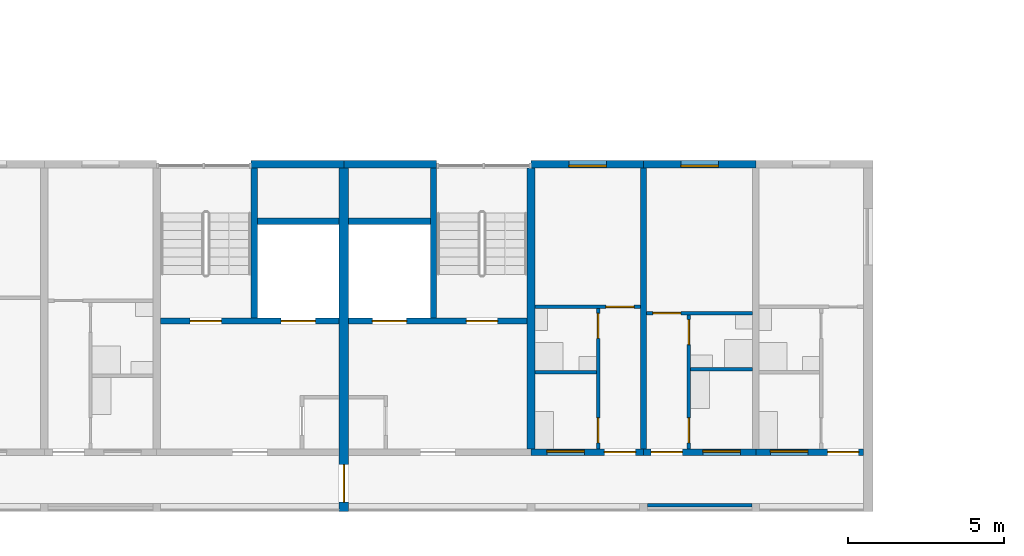
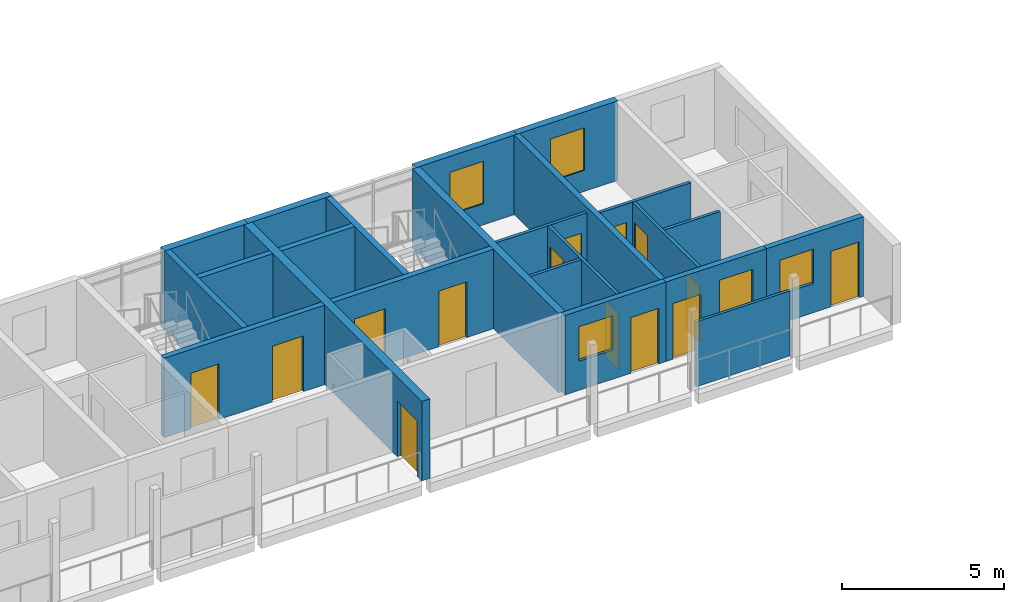
# One storey, part 39 of 93: 23 walls, 14 doors, 5 windows, 19 openings.
"""IFC4 building model written with IfcOpenShell, lengths in metres."""

from ifc_helpers import new_model, si_unit, direction, frame, frame_2d, origin, place, context, subcontext, project, spatial, rectangle, extrude, material, layer, layer_set, type_object, element, fill, save


model = new_model("IFC4")

# Units and contexts
model_context = context("Model", 3, precision=1e-05, world=origin(), true_north=direction((0.0, 1.0)))
body_context = subcontext(model_context, "Body", "Model", "MODEL_VIEW")
ifc_project = project(units=[si_unit("LENGTHUNIT", "METRE"), si_unit("AREAUNIT", "SQUARE_METRE"), si_unit("VOLUMEUNIT", "CUBIC_METRE"), si_unit("PLANEANGLEUNIT", "RADIAN"), si_unit("MASSUNIT", "GRAM", prefix="KILO")], contexts=[model_context])

# Site, building, storey
site_placement = place(None, origin())
site = spatial("IfcSite", under=ifc_project, at=site_placement, CompositionType="ELEMENT")
building_placement = place(site_placement, origin())
building = spatial("IfcBuilding", under=site, at=building_placement, Name="Ridgestep Commons", CompositionType="ELEMENT")
storey_placement = place(building_placement, frame((0.0, 0.0, 18.0)))
storey = spatial("IfcBuildingStorey", under=building, at=storey_placement, Name="L06", CompositionType="ELEMENT", Elevation=18.0)

# Wall
ifc_material_1 = material(Name="Concrete C30/37", Category="concrete")
ifc_layer_1 = layer(ifc_material_1, 0.25)
ifc_layer_set_1 = layer_set([ifc_layer_1], Name="Core cross wall 250")
wall_type_1 = type_object("IfcWallType", Name="Core cross wall 250", PredefinedType="SHEAR", material=ifc_layer_set_1)
wall_1_placement = place(storey_placement, frame((102.0, 13.75, 0.0), z_axis=(0.0, 0.0, 1.0), x_axis=(0.0, 1.0, 0.0)))
element("IfcWall", 1, at=wall_1_placement, inside=storey, type_object=wall_type_1, Name="Cross wall A-06-1020", PredefinedType="SHEAR", context=body_context, shape_type="SweptSolid", body=[
    extrude(rectangle(XDim=9.0, YDim=0.25, at=frame_2d((4.5, 0.0))), origin(), (0.0, 0.0, 1.0), 3.0),
])

# Wall, openings, doors
ifc_material_2 = material(Name="Concrete C30/37", Category="concrete")
ifc_layer_2 = layer(ifc_material_2, 0.199951171875)
ifc_layer_set_2 = layer_set([ifc_layer_2], Name="Core wall 200")
wall_type_2 = type_object("IfcWallType", Name="Core wall 200", PredefinedType="SHEAR", material=ifc_layer_set_2)
wall_2_placement = place(storey_placement, frame((90.125, 17.85009765625, 0.0), z_axis=(0.0, 0.0, 1.0), x_axis=(1.0, 0.0, 0.0)))
wall_2 = element("IfcWall", 2, at=wall_2_placement, inside=storey, type_object=wall_type_2, Name="Core lobby wall A5C L06", PredefinedType="SHEAR", context=body_context, shape_type="SweptSolid", body=[
    extrude(rectangle(XDim=5.72509765625, YDim=0.199951171875, at=frame_2d((2.862548828125, 0.0))), origin(), (0.0, 0.0, 1.0), 3.0),
])
opening_1_placement = place(wall_2_placement, frame((0.949951171875, 0.0, 0.0)))
opening_1 = element("IfcOpeningElement", 3, at=opening_1_placement, cuts=wall_2, Name="Opening A5C/06/2", PredefinedType="OPENING", context=body_context, shape_type="SweptSolid", body=[
    extrude(rectangle(XDim=1.0, YDim=2.10009765625, at=frame_2d((0.5, 1.050048828125))), frame((0.0, 0.10986328125, 0.0), z_axis=(0.0, -1.0, 0.0), x_axis=(1.0, 0.0, 0.0)), (0.0, 0.0, 1.0), 0.219970703125),
])
opening_2_placement = place(wall_2_placement, frame((3.862548828125, 0.0, 0.0)))
opening_2 = element("IfcOpeningElement", 4, at=opening_2_placement, cuts=wall_2, Name="Opening A5C/06/3", PredefinedType="OPENING", context=body_context, shape_type="SweptSolid", body=[
    extrude(rectangle(XDim=1.10009765625, YDim=2.10009765625, at=frame_2d((0.550048828125, 1.050048828125))), frame((0.0, 0.10986328125, 0.0), z_axis=(0.0, -1.0, 0.0), x_axis=(1.0, 0.0, 0.0)), (0.0, 0.0, 1.0), 0.219970703125),
])
ifc_material_3 = material(Name="Stainless steel", Category="steel")
door_type_1 = type_object("IfcDoorType", Name="Lift landing door 1100 x 2100 FD60", OperationType="DOUBLE_DOOR_SLIDING", PredefinedType="DOOR", material=ifc_material_3)
door_1_placement = place(opening_2_placement, origin())
door_1 = element("IfcDoor", 5, at=door_1_placement, inside=storey, type_object=door_type_1, Name="Landing door LD A5C L06", OperationType="DOUBLE_DOOR_SLIDING", OverallHeight=2.10009765625, OverallWidth=1.10009765625, PredefinedType="DOOR", context=body_context, shape_type="SweptSolid", body=[
    extrude(rectangle(XDim=1.10009765625, YDim=2.10009765625, at=frame_2d((0.550048828125, 1.050048828125))), frame((0.0, 0.02490234375, 0.0), z_axis=(0.0, -1.0, 0.0), x_axis=(1.0, 0.0, 0.0)), (0.0, 0.0, 1.0), 0.050048828125),
])
fill(opening_2, door_1)
ifc_material_4 = material(Name="Steel fire door", Category="steel")
door_type_2 = type_object("IfcDoorType", Name="Stair door 1000 x 2100 FD60", OperationType="NOTDEFINED", PredefinedType="DOOR", material=ifc_material_4)
door_2_placement = place(opening_1_placement, origin())
door_2 = element("IfcDoor", 6, at=door_2_placement, inside=storey, type_object=door_type_2, Name="Stair door A5C/06/2", OperationType="SINGLE_SWING_RIGHT", OverallHeight=2.10009765625, OverallWidth=1.0, PredefinedType="DOOR", context=body_context, shape_type="SweptSolid", body=[
    extrude(rectangle(XDim=1.0, YDim=2.10009765625, at=frame_2d((0.5, 1.050048828125))), frame((0.0, 0.02490234375, 0.0), z_axis=(0.0, -1.0, 0.0), x_axis=(1.0, 0.0, 0.0)), (0.0, 0.0, 1.0), 0.050048828125),
])
fill(opening_1, door_2)

# Walls
wall_3_placement = place(storey_placement, frame((93.125, 17.949951171875, 0.0), z_axis=(0.0, 0.0, 1.0), x_axis=(0.0, 1.0, 0.0)))
element("IfcWall", 7, at=wall_3_placement, inside=storey, type_object=wall_type_2, Name="Core stair wall A5C L06", PredefinedType="SHEAR", context=body_context, shape_type="SweptSolid", body=[
    extrude(rectangle(XDim=4.800048828125, YDim=0.199951171875, at=frame_2d((2.39990234375, 0.0))), origin(), (0.0, 0.0, 1.0), 3.0),
])
wall_4_placement = place(storey_placement, frame((93.22509765625, 21.050048828125, 0.0), z_axis=(0.0, 0.0, 1.0), x_axis=(1.0, 0.0, 0.0)))
element("IfcWall", 8, at=wall_4_placement, inside=storey, type_object=wall_type_2, Name="Core duct wall A5C L06", PredefinedType="SHEAR", context=body_context, shape_type="SweptSolid", body=[
    extrude(rectangle(XDim=2.625, YDim=0.199951171875, at=frame_2d((1.3125, 0.0))), origin(), (0.0, 0.0, 1.0), 3.0),
])

# Wall, openings, doors
wall_5_placement = place(storey_placement, frame((96.14990234375, 17.85009765625, 0.0), z_axis=(0.0, 0.0, 1.0), x_axis=(1.0, 0.0, 0.0)))
wall_5 = element("IfcWall", 9, at=wall_5_placement, inside=storey, type_object=wall_type_2, Name="Core lobby wall A6C L06", PredefinedType="SHEAR", context=body_context, shape_type="SweptSolid", body=[
    extrude(rectangle(XDim=5.72509765625, YDim=0.199951171875, at=frame_2d((2.862548828125, 0.0))), origin(), (0.0, 0.0, 1.0), 3.0),
])
opening_3_placement = place(wall_5_placement, frame((3.77490234375, 0.0, 0.0)))
opening_3 = element("IfcOpeningElement", 10, at=opening_3_placement, cuts=wall_5, Name="Opening A6C/06/2", PredefinedType="OPENING", context=body_context, shape_type="SweptSolid", body=[
    extrude(rectangle(XDim=1.0, YDim=2.10009765625, at=frame_2d((0.5, 1.050048828125))), frame((0.0, 0.10986328125, 0.0), z_axis=(0.0, -1.0, 0.0), x_axis=(1.0, 0.0, 0.0)), (0.0, 0.0, 1.0), 0.219970703125),
])
opening_4_placement = place(wall_5_placement, frame((0.762451171875, 0.0, 0.0)))
opening_4 = element("IfcOpeningElement", 11, at=opening_4_placement, cuts=wall_5, Name="Opening A6C/06/3", PredefinedType="OPENING", context=body_context, shape_type="SweptSolid", body=[
    extrude(rectangle(XDim=1.10009765625, YDim=2.10009765625, at=frame_2d((0.550048828125, 1.050048828125))), frame((0.0, 0.10986328125, 0.0), z_axis=(0.0, -1.0, 0.0), x_axis=(1.0, 0.0, 0.0)), (0.0, 0.0, 1.0), 0.219970703125),
])
door_3_placement = place(opening_4_placement, origin())
door_3 = element("IfcDoor", 12, at=door_3_placement, inside=storey, type_object=door_type_1, Name="Landing door LD A6C L06", OperationType="DOUBLE_DOOR_SLIDING", OverallHeight=2.10009765625, OverallWidth=1.10009765625, PredefinedType="DOOR", context=body_context, shape_type="SweptSolid", body=[
    extrude(rectangle(XDim=1.10009765625, YDim=2.10009765625, at=frame_2d((0.550048828125, 1.050048828125))), frame((0.0, 0.02490234375, 0.0), z_axis=(0.0, -1.0, 0.0), x_axis=(1.0, 0.0, 0.0)), (0.0, 0.0, 1.0), 0.050048828125),
])
fill(opening_4, door_3)
door_4_placement = place(opening_3_placement, origin())
door_4 = element("IfcDoor", 13, at=door_4_placement, inside=storey, type_object=door_type_2, Name="Stair door A6C/06/2", OperationType="SINGLE_SWING_RIGHT", OverallHeight=2.10009765625, OverallWidth=1.0, PredefinedType="DOOR", context=body_context, shape_type="SweptSolid", body=[
    extrude(rectangle(XDim=1.0, YDim=2.10009765625, at=frame_2d((0.5, 1.050048828125))), frame((0.0, 0.02490234375, 0.0), z_axis=(0.0, -1.0, 0.0), x_axis=(1.0, 0.0, 0.0)), (0.0, 0.0, 1.0), 0.050048828125),
])
fill(opening_3, door_4)

# Walls
wall_6_placement = place(storey_placement, frame((98.875, 17.949951171875, 0.0), z_axis=(0.0, 0.0, 1.0), x_axis=(0.0, 1.0, 0.0)))
element("IfcWall", 14, at=wall_6_placement, inside=storey, type_object=wall_type_2, Name="Core stair wall A6C L06", PredefinedType="SHEAR", context=body_context, shape_type="SweptSolid", body=[
    extrude(rectangle(XDim=4.800048828125, YDim=0.199951171875, at=frame_2d((2.39990234375, 0.0))), origin(), (0.0, 0.0, 1.0), 3.0),
])
wall_7_placement = place(storey_placement, frame((96.14990234375, 21.050048828125, 0.0), z_axis=(0.0, 0.0, 1.0), x_axis=(1.0, 0.0, 0.0)))
element("IfcWall", 15, at=wall_7_placement, inside=storey, type_object=wall_type_2, Name="Core duct wall A6C L06", PredefinedType="SHEAR", context=body_context, shape_type="SweptSolid", body=[
    extrude(rectangle(XDim=2.625, YDim=0.199951171875, at=frame_2d((1.3125, 0.0))), origin(), (0.0, 0.0, 1.0), 3.0),
])
ifc_material_5 = material(Name="Precast concrete C40/50", Category="concrete")
ifc_layer_3 = layer(ifc_material_5, 0.199951171875)
ifc_layer_set_3 = layer_set([ifc_layer_3], Name="Cross wall 200")
wall_type_3 = type_object("IfcWallType", Name="Cross wall 200", PredefinedType="SHEAR", material=ifc_layer_set_3)
wall_8_placement = place(storey_placement, frame((105.60009765625, 13.75, 0.0), z_axis=(0.0, 0.0, 1.0), x_axis=(0.0, 1.0, 0.0)))
element("IfcWall", 16, at=wall_8_placement, inside=storey, type_object=wall_type_3, Name="Cross wall A-06-1056", PredefinedType="SHEAR", context=body_context, shape_type="SweptSolid", body=[
    extrude(rectangle(XDim=9.0, YDim=0.199951171875, at=frame_2d((4.5, 0.0))), origin(), (0.0, 0.0, 1.0), 3.0),
])

# Wall, opening, door
ifc_material_6 = material(Name="Precast concrete C40/50", Category="concrete")
ifc_layer_4 = layer(ifc_material_6, 0.300048828125)
ifc_layer_set_4 = layer_set([ifc_layer_4], Name="Division wall 300")
wall_type_4 = type_object("IfcWallType", Name="Division wall 300", PredefinedType="SHEAR", material=ifc_layer_set_4)
wall_9_placement = place(storey_placement, frame((96.0, 11.75, 0.0), z_axis=(0.0, 0.0, 1.0), x_axis=(0.0, 1.0, 0.0)))
wall_9 = element("IfcWall", 17, at=wall_9_placement, inside=storey, type_object=wall_type_4, Name="Cross wall A-06-0960", PredefinedType="SHEAR", context=body_context, shape_type="SweptSolid", body=[
    extrude(rectangle(XDim=11.0, YDim=0.300048828125, at=frame_2d((5.5, 0.0))), origin(), (0.0, 0.0, 1.0), 3.0),
])
opening_5_placement = place(wall_9_placement, frame((0.300048828125, 0.0, 0.0)))
opening_5 = element("IfcOpeningElement", 18, at=opening_5_placement, cuts=wall_9, Name="Opening A/06/G0960", PredefinedType="OPENING", context=body_context, shape_type="SweptSolid", body=[
    extrude(rectangle(XDim=1.199951171875, YDim=2.10009765625, at=frame_2d((0.60009765625, 1.050048828125))), frame((0.0, 0.159912109375, 0.0), z_axis=(0.0, -1.0, 0.0), x_axis=(1.0, 0.0, 0.0)), (0.0, 0.0, 1.0), 0.320068359375),
])
ifc_material_7 = material(Name="Steel fire door", Category="steel")
door_type_3 = type_object("IfcDoorType", Name="Division fire door 1200 x 2100 EI 240", OperationType="DOUBLE_DOOR_SINGLE_SWING", PredefinedType="DOOR", material=ifc_material_7)
door_5_placement = place(opening_5_placement, origin())
door_5 = element("IfcDoor", 19, at=door_5_placement, inside=storey, type_object=door_type_3, Name="Division fire door A/06/G0960", OperationType="DOUBLE_DOOR_SINGLE_SWING", OverallHeight=2.10009765625, OverallWidth=1.199951171875, PredefinedType="DOOR", context=body_context, shape_type="SweptSolid", body=[
    extrude(rectangle(XDim=1.199951171875, YDim=2.10009765625, at=frame_2d((0.60009765625, 1.050048828125))), frame((0.0, 0.02490234375, 0.0), z_axis=(0.0, -1.0, 0.0), x_axis=(1.0, 0.0, 0.0)), (0.0, 0.0, 1.0), 0.050048828125),
])
fill(opening_5, door_5)

# Walls
ifc_material_8 = material(Name="Precast concrete C40/50", Category="concrete")
ifc_layer_5 = layer(ifc_material_8, 0.25)
ifc_layer_set_5 = layer_set([ifc_layer_5], Name="North facade panel 250")
wall_type_5 = type_object("IfcWallType", Name="North facade panel 250", PredefinedType="SOLIDWALL", material=ifc_layer_set_5)
for number, where, z_axis, x_axis, name in (
    (20, (93.02490234375, 22.875, 0.0), (0.0, 0.0, 1.0), (1.0, 0.0, 0.0), "North panel A5C L06"),
    (21, (96.0, 22.875, 0.0), (0.0, 0.0, 1.0), (1.0, 0.0, 0.0), "North panel A6C L06"),
):
    element("IfcWall", number, at=place(storey_placement, frame(where, z_axis=z_axis, x_axis=x_axis)), inside=storey, type_object=wall_type_5, Name=name, PredefinedType="SOLIDWALL", context=body_context, shape_type="SweptSolid", body=[
        extrude(rectangle(XDim=2.97509765625, YDim=0.25, at=frame_2d((1.487548828125, 0.0))), origin(), (0.0, 0.0, 1.0), 3.0),
    ])

# Wall, opening, window
wall_10_placement = place(storey_placement, frame((102.0, 22.875, 0.0), z_axis=(0.0, 0.0, 1.0), x_axis=(1.0, 0.0, 0.0)))
wall_10 = element("IfcWall", 22, at=wall_10_placement, inside=storey, type_object=wall_type_5, Name="North panel A6T3 L06", PredefinedType="SOLIDWALL", context=body_context, shape_type="SweptSolid", body=[
    extrude(rectangle(XDim=3.60009765625, YDim=0.25, at=frame_2d((1.800048828125, 0.0))), origin(), (0.0, 0.0, 1.0), 3.0),
])
opening_6_placement = place(wall_10_placement, frame((1.21240234375, 0.0, 0.800048828125)))
opening_6 = element("IfcOpeningElement", 23, at=opening_6_placement, cuts=wall_10, Name="Opening W11", PredefinedType="OPENING", context=body_context, shape_type="SweptSolid", body=[
    extrude(rectangle(XDim=1.199951171875, YDim=1.60009765625, at=frame_2d((0.60009765625, 0.800048828125))), frame((0.0, 0.135009765625, 0.0), z_axis=(0.0, -1.0, 0.0), x_axis=(1.0, 0.0, 0.0)), (0.0, 0.0, 1.0), 0.27001953125),
])
ifc_material_9 = material(Name="Aluminium 6063-T6 and glass", Category="aluminium")
window_type_1 = type_object("IfcWindowType", Name="Flat window 1200 x 1600", PartitioningType="SINGLE_PANEL", PredefinedType="WINDOW", material=ifc_material_9)
window_1_placement = place(opening_6_placement, origin())
window_1 = element("IfcWindow", 24, at=window_1_placement, inside=storey, type_object=window_type_1, Name="Window A6-06c 2", OverallHeight=1.60009765625, OverallWidth=1.199951171875, PartitioningType="SINGLE_PANEL", PredefinedType="WINDOW", context=body_context, shape_type="SweptSolid", body=[
    extrude(rectangle(XDim=1.199951171875, YDim=1.60009765625, at=frame_2d((0.60009765625, 0.800048828125))), frame((0.0, -0.02490234375, 0.0), z_axis=(0.0, -1.0, 0.0), x_axis=(1.0, 0.0, 0.0)), (0.0, 0.0, 1.0), 0.06005859375),
])
fill(opening_6, window_1)

wall_11_placement = place(storey_placement, frame((105.60009765625, 22.875, 0.0), z_axis=(0.0, 0.0, 1.0), x_axis=(1.0, 0.0, 0.0)))
wall_11 = element("IfcWall", 25, at=wall_11_placement, inside=storey, type_object=wall_type_5, Name="North panel A6T2 L06", PredefinedType="SOLIDWALL", context=body_context, shape_type="SweptSolid", body=[
    extrude(rectangle(XDim=3.599853515625, YDim=0.25, at=frame_2d((1.7998046875, 0.0))), origin(), (0.0, 0.0, 1.0), 3.0),
])
opening_7_placement = place(wall_11_placement, frame((1.199951171875, 0.0, 0.800048828125)))
opening_7 = element("IfcOpeningElement", 26, at=opening_7_placement, cuts=wall_11, Name="Opening W11", PredefinedType="OPENING", context=body_context, shape_type="SweptSolid", body=[
    extrude(rectangle(XDim=1.199951171875, YDim=1.60009765625, at=frame_2d((0.60009765625, 0.800048828125))), frame((0.0, 0.135009765625, 0.0), z_axis=(0.0, -1.0, 0.0), x_axis=(1.0, 0.0, 0.0)), (0.0, 0.0, 1.0), 0.27001953125),
])
window_2_placement = place(opening_7_placement, origin())
window_2 = element("IfcWindow", 27, at=window_2_placement, inside=storey, type_object=window_type_1, Name="Window A6-06b 2", OverallHeight=1.60009765625, OverallWidth=1.199951171875, PartitioningType="SINGLE_PANEL", PredefinedType="WINDOW", context=body_context, shape_type="SweptSolid", body=[
    extrude(rectangle(XDim=1.199951171875, YDim=1.60009765625, at=frame_2d((0.60009765625, 0.800048828125))), frame((0.0, -0.02490234375, 0.0), z_axis=(0.0, -1.0, 0.0), x_axis=(1.0, 0.0, 0.0)), (0.0, 0.0, 1.0), 0.06005859375),
])
fill(opening_7, window_2)

# Wall, openings, doors
ifc_material_10 = material(Name="Common brick 110 mm", Category="masonry")
ifc_layer_6 = layer(ifc_material_10, 0.110107421875)
ifc_layer_set_6 = layer_set([ifc_layer_6], Name="Partition 110")
wall_type_6 = type_object("IfcWallType", Name="Partition 110", PredefinedType="PARTITIONING", material=ifc_layer_set_6)
wall_12_placement = place(storey_placement, frame((107.054931640625, 13.75, 0.0), z_axis=(0.0, 0.0, 1.0), x_axis=(0.0, 1.0, 0.0)))
wall_12 = element("IfcWall", 28, at=wall_12_placement, inside=storey, type_object=wall_type_6, Name="Partition A6-06b", PredefinedType="PARTITIONING", context=body_context, shape_type="SweptSolid", body=[
    extrude(rectangle(XDim=4.300048828125, YDim=0.110107421875, at=frame_2d((2.14990234375, 0.0))), origin(), (0.0, 0.0, 1.0), 2.800048828125),
])
opening_8_placement = place(wall_12_placement, frame((0.199951171875, 0.0, 0.0)))
opening_8 = element("IfcOpeningElement", 29, at=opening_8_placement, cuts=wall_12, Name="Opening A6-06b/2", PredefinedType="OPENING", context=body_context, shape_type="SweptSolid", body=[
    extrude(rectangle(XDim=0.800048828125, YDim=2.10009765625, at=frame_2d((0.39990234375, 1.050048828125))), frame((0.0, 0.06494140625, 0.0), z_axis=(0.0, -1.0, 0.0), x_axis=(1.0, 0.0, 0.0)), (0.0, 0.0, 1.0), 0.130126953125),
])
opening_9_placement = place(wall_12_placement, frame((3.35009765625, 0.0, 0.0)))
opening_9 = element("IfcOpeningElement", 30, at=opening_9_placement, cuts=wall_12, Name="Opening A6-06b/3", PredefinedType="OPENING", context=body_context, shape_type="SweptSolid", body=[
    extrude(rectangle(XDim=0.800048828125, YDim=2.10009765625, at=frame_2d((0.39990234375, 1.050048828125))), frame((0.0, 0.06494140625, 0.0), z_axis=(0.0, -1.0, 0.0), x_axis=(1.0, 0.0, 0.0)), (0.0, 0.0, 1.0), 0.130126953125),
])
ifc_material_11 = material(Name="Timber door leaf", Category="wood")
door_type_4 = type_object("IfcDoorType", Name="Internal door 800 x 2100", OperationType="NOTDEFINED", PredefinedType="DOOR", material=ifc_material_11)
door_6_placement = place(opening_8_placement, origin())
door_6 = element("IfcDoor", 31, at=door_6_placement, inside=storey, type_object=door_type_4, Name="Internal door A6-06b/2", OperationType="SINGLE_SWING_RIGHT", OverallHeight=2.10009765625, OverallWidth=0.800048828125, PredefinedType="DOOR", context=body_context, shape_type="SweptSolid", body=[
    extrude(rectangle(XDim=0.800048828125, YDim=2.10009765625, at=frame_2d((0.39990234375, 1.050048828125))), frame((0.0, 0.02490234375, 0.0), z_axis=(0.0, -1.0, 0.0), x_axis=(1.0, 0.0, 0.0)), (0.0, 0.0, 1.0), 0.050048828125),
])
fill(opening_8, door_6)
door_7_placement = place(opening_9_placement, origin())
door_7 = element("IfcDoor", 32, at=door_7_placement, inside=storey, type_object=door_type_4, Name="Internal door A6-06b/3", OperationType="SINGLE_SWING_LEFT", OverallHeight=2.10009765625, OverallWidth=0.800048828125, PredefinedType="DOOR", context=body_context, shape_type="SweptSolid", body=[
    extrude(rectangle(XDim=0.800048828125, YDim=2.10009765625, at=frame_2d((0.39990234375, 1.050048828125))), frame((0.0, 0.02490234375, 0.0), z_axis=(0.0, -1.0, 0.0), x_axis=(1.0, 0.0, 0.0)), (0.0, 0.0, 1.0), 0.050048828125),
])
fill(opening_9, door_7)

# Wall
wall_13_placement = place(storey_placement, frame((107.110107421875, 16.304931640625, 0.0), z_axis=(0.0, 0.0, 1.0), x_axis=(1.0, 0.0, 0.0)))
element("IfcWall", 33, at=wall_13_placement, inside=storey, type_object=wall_type_6, Name="Partition A6-06b", PredefinedType="PARTITIONING", context=body_context, shape_type="SweptSolid", body=[
    extrude(rectangle(XDim=1.989990234375, YDim=0.110107421875, at=frame_2d((0.9951171875, 0.0))), origin(), (0.0, 0.0, 1.0), 2.800048828125),
])

# Wall, opening, door
wall_14_placement = place(storey_placement, frame((105.699951171875, 18.10498046875, 0.0), z_axis=(0.0, 0.0, 1.0), x_axis=(1.0, 0.0, 0.0)))
wall_14 = element("IfcWall", 34, at=wall_14_placement, inside=storey, type_object=wall_type_6, Name="Partition A6-06b", PredefinedType="PARTITIONING", context=body_context, shape_type="SweptSolid", body=[
    extrude(rectangle(XDim=3.400146484375, YDim=0.110107421875, at=frame_2d((1.7001953125, 0.0))), origin(), (0.0, 0.0, 1.0), 2.800048828125),
])
opening_10_placement = place(wall_14_placement, frame((0.199951171875, 0.0, 0.0)))
opening_10 = element("IfcOpeningElement", 35, at=opening_10_placement, cuts=wall_14, Name="Opening A6-06b/4", PredefinedType="OPENING", context=body_context, shape_type="SweptSolid", body=[
    extrude(rectangle(XDim=0.89990234375, YDim=2.10009765625, at=frame_2d((0.449951171875, 1.050048828125))), frame((0.0, 0.06494140625, 0.0), z_axis=(0.0, -1.0, 0.0), x_axis=(1.0, 0.0, 0.0)), (0.0, 0.0, 1.0), 0.130126953125),
])
ifc_material_12 = material(Name="Timber door leaf", Category="wood")
door_type_5 = type_object("IfcDoorType", Name="Internal door 900 x 2100", OperationType="NOTDEFINED", PredefinedType="DOOR", material=ifc_material_12)
door_8_placement = place(opening_10_placement, origin())
door_8 = element("IfcDoor", 36, at=door_8_placement, inside=storey, type_object=door_type_5, Name="Internal door A6-06b/4", OperationType="SINGLE_SWING_RIGHT", OverallHeight=2.10009765625, OverallWidth=0.89990234375, PredefinedType="DOOR", context=body_context, shape_type="SweptSolid", body=[
    extrude(rectangle(XDim=0.89990234375, YDim=2.10009765625, at=frame_2d((0.449951171875, 1.050048828125))), frame((0.0, 0.02490234375, 0.0), z_axis=(0.0, -1.0, 0.0), x_axis=(1.0, 0.0, 0.0)), (0.0, 0.0, 1.0), 0.050048828125),
])
fill(opening_10, door_8)

# Wall
wall_15_placement = place(storey_placement, frame((102.125, 16.205078125, 0.0), z_axis=(0.0, 0.0, 1.0), x_axis=(1.0, 0.0, 0.0)))
element("IfcWall", 37, at=wall_15_placement, inside=storey, type_object=wall_type_6, Name="Partition A6-06c", PredefinedType="PARTITIONING", context=body_context, shape_type="SweptSolid", body=[
    extrude(rectangle(XDim=1.965087890625, YDim=0.110107421875, at=frame_2d((0.982421875, 0.0))), origin(), (0.0, 0.0, 1.0), 2.800048828125),
])

# Wall, openings, doors
wall_16_placement = place(storey_placement, frame((104.14501953125, 13.75, 0.0), z_axis=(0.0, 0.0, 1.0), x_axis=(0.0, 1.0, 0.0)))
wall_16 = element("IfcWall", 38, at=wall_16_placement, inside=storey, type_object=wall_type_6, Name="Partition A6-06c", PredefinedType="PARTITIONING", context=body_context, shape_type="SweptSolid", body=[
    extrude(rectangle(XDim=4.5, YDim=0.110107421875, at=frame_2d((2.25, 0.0))), origin(), (0.0, 0.0, 1.0), 2.800048828125),
])
opening_11_placement = place(wall_16_placement, frame((0.199951171875, 0.0, 0.0)))
opening_11 = element("IfcOpeningElement", 39, at=opening_11_placement, cuts=wall_16, Name="Opening A6-06c/2", PredefinedType="OPENING", context=body_context, shape_type="SweptSolid", body=[
    extrude(rectangle(XDim=0.800048828125, YDim=2.10009765625, at=frame_2d((0.39990234375, 1.050048828125))), frame((0.0, 0.06494140625, 0.0), z_axis=(0.0, -1.0, 0.0), x_axis=(1.0, 0.0, 0.0)), (0.0, 0.0, 1.0), 0.130126953125),
])
opening_12_placement = place(wall_16_placement, frame((3.550048828125, 0.0, 0.0)))
opening_12 = element("IfcOpeningElement", 40, at=opening_12_placement, cuts=wall_16, Name="Opening A6-06c/3", PredefinedType="OPENING", context=body_context, shape_type="SweptSolid", body=[
    extrude(rectangle(XDim=0.800048828125, YDim=2.10009765625, at=frame_2d((0.39990234375, 1.050048828125))), frame((0.0, 0.06494140625, 0.0), z_axis=(0.0, -1.0, 0.0), x_axis=(1.0, 0.0, 0.0)), (0.0, 0.0, 1.0), 0.130126953125),
])
door_9_placement = place(opening_11_placement, origin())
door_9 = element("IfcDoor", 41, at=door_9_placement, inside=storey, type_object=door_type_4, Name="Internal door A6-06c/2", OperationType="SINGLE_SWING_LEFT", OverallHeight=2.10009765625, OverallWidth=0.800048828125, PredefinedType="DOOR", context=body_context, shape_type="SweptSolid", body=[
    extrude(rectangle(XDim=0.800048828125, YDim=2.10009765625, at=frame_2d((0.39990234375, 1.050048828125))), frame((0.0, 0.02490234375, 0.0), z_axis=(0.0, -1.0, 0.0), x_axis=(1.0, 0.0, 0.0)), (0.0, 0.0, 1.0), 0.050048828125),
])
fill(opening_11, door_9)
door_10_placement = place(opening_12_placement, origin())
door_10 = element("IfcDoor", 42, at=door_10_placement, inside=storey, type_object=door_type_4, Name="Internal door A6-06c/3", OperationType="SINGLE_SWING_RIGHT", OverallHeight=2.10009765625, OverallWidth=0.800048828125, PredefinedType="DOOR", context=body_context, shape_type="SweptSolid", body=[
    extrude(rectangle(XDim=0.800048828125, YDim=2.10009765625, at=frame_2d((0.39990234375, 1.050048828125))), frame((0.0, 0.02490234375, 0.0), z_axis=(0.0, -1.0, 0.0), x_axis=(1.0, 0.0, 0.0)), (0.0, 0.0, 1.0), 0.050048828125),
])
fill(opening_12, door_10)

# Wall, opening, door
wall_17_placement = place(storey_placement, frame((102.125, 18.304931640625, 0.0), z_axis=(0.0, 0.0, 1.0), x_axis=(1.0, 0.0, 0.0)))
wall_17 = element("IfcWall", 43, at=wall_17_placement, inside=storey, type_object=wall_type_6, Name="Partition A6-06c", PredefinedType="PARTITIONING", context=body_context, shape_type="SweptSolid", body=[
    extrude(rectangle(XDim=3.375, YDim=0.110107421875, at=frame_2d((1.6875, 0.0))), origin(), (0.0, 0.0, 1.0), 2.800048828125),
])
opening_13_placement = place(wall_17_placement, frame((2.27490234375, 0.0, 0.0)))
opening_13 = element("IfcOpeningElement", 44, at=opening_13_placement, cuts=wall_17, Name="Opening A6-06c/4", PredefinedType="OPENING", context=body_context, shape_type="SweptSolid", body=[
    extrude(rectangle(XDim=0.89990234375, YDim=2.10009765625, at=frame_2d((0.449951171875, 1.050048828125))), frame((0.0, 0.06494140625, 0.0), z_axis=(0.0, -1.0, 0.0), x_axis=(1.0, 0.0, 0.0)), (0.0, 0.0, 1.0), 0.130126953125),
])
door_11_placement = place(opening_13_placement, origin())
door_11 = element("IfcDoor", 45, at=door_11_placement, inside=storey, type_object=door_type_5, Name="Internal door A6-06c/4", OperationType="SINGLE_SWING_LEFT", OverallHeight=2.10009765625, OverallWidth=0.89990234375, PredefinedType="DOOR", context=body_context, shape_type="SweptSolid", body=[
    extrude(rectangle(XDim=0.89990234375, YDim=2.10009765625, at=frame_2d((0.449951171875, 1.050048828125))), frame((0.0, 0.02490234375, 0.0), z_axis=(0.0, -1.0, 0.0), x_axis=(1.0, 0.0, 0.0)), (0.0, 0.0, 1.0), 0.050048828125),
])
fill(opening_13, door_11)

# Wall
ifc_material_13 = material(Name="Precast concrete C30/37", Category="concrete")
ifc_layer_7 = layer(ifc_material_13, 0.10009765625)
ifc_layer_set_7 = layer_set([ifc_layer_7], Name="Perforated gallery screen 3350 x 2450 x 100")
wall_type_7 = type_object("IfcWallType", Name="Perforated gallery screen 3350 x 2450 x 100", PredefinedType="SOLIDWALL", material=ifc_layer_set_7)
wall_18_placement = place(storey_placement, frame((105.72509765625, 11.949951171875, 0.0), z_axis=(0.0, 0.0, 1.0), x_axis=(1.0, 0.0, 0.0)))
element("IfcWall", 46, at=wall_18_placement, inside=storey, type_object=wall_type_7, Name="Gallery screen A6T2 06", PredefinedType="SOLIDWALL", context=body_context, shape_type="SweptSolid", body=[
    extrude(rectangle(XDim=3.349853515625, YDim=0.10009765625, at=frame_2d((1.6748046875, 0.0))), origin(), (0.0, 0.0, 1.0), 2.449951171875),
])

# Wall, openings, door, window
ifc_material_14 = material(Name="Precast concrete C40/50", Category="concrete")
ifc_layer_8 = layer(ifc_material_14, 0.199951171875)
ifc_layer_set_8 = layer_set([ifc_layer_8], Name="South facade panel 200")
wall_type_8 = type_object("IfcWallType", Name="South facade panel 200", PredefinedType="SOLIDWALL", material=ifc_layer_set_8)
wall_19_placement = place(storey_placement, frame((102.0, 13.64990234375, 0.0), z_axis=(0.0, 0.0, 1.0), x_axis=(1.0, 0.0, 0.0)))
wall_19 = element("IfcWall", 47, at=wall_19_placement, inside=storey, type_object=wall_type_8, Name="South panel A6T3 L06", PredefinedType="SOLIDWALL", context=body_context, shape_type="SweptSolid", body=[
    extrude(rectangle(XDim=3.60009765625, YDim=0.199951171875, at=frame_2d((1.800048828125, 0.0))), origin(), (0.0, 0.0, 1.0), 3.0),
])
opening_14_placement = place(wall_19_placement, frame((0.507568359375, 0.0, 1.10009765625)))
opening_14 = element("IfcOpeningElement", 48, at=opening_14_placement, cuts=wall_19, Name="Opening W08", PredefinedType="OPENING", context=body_context, shape_type="SweptSolid", body=[
    extrude(rectangle(XDim=1.199951171875, YDim=1.300048828125, at=frame_2d((0.60009765625, 0.64990234375))), frame((0.0, 0.10986328125, 0.0), z_axis=(0.0, -1.0, 0.0), x_axis=(1.0, 0.0, 0.0)), (0.0, 0.0, 1.0), 0.219970703125),
])
opening_15_placement = place(wall_19_placement, frame((2.35009765625, 0.0, 0.0)))
opening_15 = element("IfcOpeningElement", 49, at=opening_15_placement, cuts=wall_19, Name="Opening A6-06c/1", PredefinedType="OPENING", context=body_context, shape_type="SweptSolid", body=[
    extrude(rectangle(XDim=1.0, YDim=2.10009765625, at=frame_2d((0.5, 1.050048828125))), frame((0.0, 0.10986328125, 0.0), z_axis=(0.0, -1.0, 0.0), x_axis=(1.0, 0.0, 0.0)), (0.0, 0.0, 1.0), 0.219970703125),
])
ifc_material_15 = material(Name="Timber door leaf", Category="wood")
door_type_6 = type_object("IfcDoorType", Name="Flat entrance door 1000 x 2100 FD30S", OperationType="NOTDEFINED", PredefinedType="DOOR", material=ifc_material_15)
door_12_placement = place(opening_15_placement, origin())
door_12 = element("IfcDoor", 50, at=door_12_placement, inside=storey, type_object=door_type_6, Name="Flat entrance door A6-06c/1", OperationType="SINGLE_SWING_RIGHT", OverallHeight=2.10009765625, OverallWidth=1.0, PredefinedType="DOOR", context=body_context, shape_type="SweptSolid", body=[
    extrude(rectangle(XDim=1.0, YDim=2.10009765625, at=frame_2d((0.5, 1.050048828125))), frame((0.0, 0.02490234375, 0.0), z_axis=(0.0, -1.0, 0.0), x_axis=(1.0, 0.0, 0.0)), (0.0, 0.0, 1.0), 0.050048828125),
])
fill(opening_15, door_12)
ifc_material_16 = material(Name="Aluminium 6063-T6 and glass", Category="aluminium")
window_type_2 = type_object("IfcWindowType", Name="Flat window 1200 x 1300", PartitioningType="SINGLE_PANEL", PredefinedType="WINDOW", material=ifc_material_16)
window_3_placement = place(opening_14_placement, origin())
window_3 = element("IfcWindow", 51, at=window_3_placement, inside=storey, type_object=window_type_2, Name="Window A6-06c 1", OverallHeight=1.300048828125, OverallWidth=1.199951171875, PartitioningType="SINGLE_PANEL", PredefinedType="WINDOW", context=body_context, shape_type="SweptSolid", body=[
    extrude(rectangle(XDim=1.199951171875, YDim=1.300048828125, at=frame_2d((0.60009765625, 0.64990234375))), frame((0.0, 0.06005859375, 0.0), z_axis=(0.0, -1.0, 0.0), x_axis=(1.0, 0.0, 0.0)), (0.0, 0.0, 1.0), 0.06005859375),
])
fill(opening_14, window_3)

wall_20_placement = place(storey_placement, frame((105.60009765625, 13.64990234375, 0.0), z_axis=(0.0, 0.0, 1.0), x_axis=(1.0, 0.0, 0.0)))
wall_20 = element("IfcWall", 52, at=wall_20_placement, inside=storey, type_object=wall_type_8, Name="South panel A6T2 L06", PredefinedType="SOLIDWALL", context=body_context, shape_type="SweptSolid", body=[
    extrude(rectangle(XDim=3.599853515625, YDim=0.199951171875, at=frame_2d((1.7998046875, 0.0))), origin(), (0.0, 0.0, 1.0), 3.0),
])
opening_16_placement = place(wall_20_placement, frame((1.905029296875, 0.0, 1.10009765625)))
opening_16 = element("IfcOpeningElement", 53, at=opening_16_placement, cuts=wall_20, Name="Opening W08", PredefinedType="OPENING", context=body_context, shape_type="SweptSolid", body=[
    extrude(rectangle(XDim=1.199951171875, YDim=1.300048828125, at=frame_2d((0.60009765625, 0.64990234375))), frame((0.0, 0.10986328125, 0.0), z_axis=(0.0, -1.0, 0.0), x_axis=(1.0, 0.0, 0.0)), (0.0, 0.0, 1.0), 0.219970703125),
])
opening_17_placement = place(wall_20_placement, frame((0.25, 0.0, 0.0)))
opening_17 = element("IfcOpeningElement", 54, at=opening_17_placement, cuts=wall_20, Name="Opening A6-06b/1", PredefinedType="OPENING", context=body_context, shape_type="SweptSolid", body=[
    extrude(rectangle(XDim=1.0, YDim=2.10009765625, at=frame_2d((0.5, 1.050048828125))), frame((0.0, 0.10986328125, 0.0), z_axis=(0.0, -1.0, 0.0), x_axis=(1.0, 0.0, 0.0)), (0.0, 0.0, 1.0), 0.219970703125),
])
door_13_placement = place(opening_17_placement, origin())
door_13 = element("IfcDoor", 55, at=door_13_placement, inside=storey, type_object=door_type_6, Name="Flat entrance door A6-06b/1", OperationType="SINGLE_SWING_LEFT", OverallHeight=2.10009765625, OverallWidth=1.0, PredefinedType="DOOR", context=body_context, shape_type="SweptSolid", body=[
    extrude(rectangle(XDim=1.0, YDim=2.10009765625, at=frame_2d((0.5, 1.050048828125))), frame((0.0, 0.02490234375, 0.0), z_axis=(0.0, -1.0, 0.0), x_axis=(1.0, 0.0, 0.0)), (0.0, 0.0, 1.0), 0.050048828125),
])
fill(opening_17, door_13)
window_4_placement = place(opening_16_placement, origin())
window_4 = element("IfcWindow", 56, at=window_4_placement, inside=storey, type_object=window_type_2, Name="Window A6-06b 1", OverallHeight=1.300048828125, OverallWidth=1.199951171875, PartitioningType="SINGLE_PANEL", PredefinedType="WINDOW", context=body_context, shape_type="SweptSolid", body=[
    extrude(rectangle(XDim=1.199951171875, YDim=1.300048828125, at=frame_2d((0.60009765625, 0.64990234375))), frame((0.0, 0.06005859375, 0.0), z_axis=(0.0, -1.0, 0.0), x_axis=(1.0, 0.0, 0.0)), (0.0, 0.0, 1.0), 0.06005859375),
])
fill(opening_16, window_4)

wall_21_placement = place(storey_placement, frame((109.199951171875, 13.64990234375, 0.0), z_axis=(0.0, 0.0, 1.0), x_axis=(1.0, 0.0, 0.0)))
wall_21 = element("IfcWall", 57, at=wall_21_placement, inside=storey, type_object=wall_type_8, Name="South panel A6T1 L06", PredefinedType="SOLIDWALL", context=body_context, shape_type="SweptSolid", body=[
    extrude(rectangle(XDim=3.449951171875, YDim=0.199951171875, at=frame_2d((1.72509765625, 0.0))), origin(), (0.0, 0.0, 1.0), 3.0),
])
opening_18_placement = place(wall_21_placement, frame((0.469970703125, 0.0, 1.10009765625)))
opening_18 = element("IfcOpeningElement", 58, at=opening_18_placement, cuts=wall_21, Name="Opening W08", PredefinedType="OPENING", context=body_context, shape_type="SweptSolid", body=[
    extrude(rectangle(XDim=1.199951171875, YDim=1.300048828125, at=frame_2d((0.60009765625, 0.64990234375))), frame((0.0, 0.10986328125, 0.0), z_axis=(0.0, -1.0, 0.0), x_axis=(1.0, 0.0, 0.0)), (0.0, 0.0, 1.0), 0.219970703125),
])
opening_19_placement = place(wall_21_placement, frame((2.300048828125, 0.0, 0.0)))
opening_19 = element("IfcOpeningElement", 59, at=opening_19_placement, cuts=wall_21, Name="Opening A6-06a/1", PredefinedType="OPENING", context=body_context, shape_type="SweptSolid", body=[
    extrude(rectangle(XDim=1.0, YDim=2.10009765625, at=frame_2d((0.5, 1.050048828125))), frame((0.0, 0.10986328125, 0.0), z_axis=(0.0, -1.0, 0.0), x_axis=(1.0, 0.0, 0.0)), (0.0, 0.0, 1.0), 0.219970703125),
])
door_14_placement = place(opening_19_placement, origin())
door_14 = element("IfcDoor", 60, at=door_14_placement, inside=storey, type_object=door_type_6, Name="Flat entrance door A6-06a/1", OperationType="SINGLE_SWING_RIGHT", OverallHeight=2.10009765625, OverallWidth=1.0, PredefinedType="DOOR", context=body_context, shape_type="SweptSolid", body=[
    extrude(rectangle(XDim=1.0, YDim=2.10009765625, at=frame_2d((0.5, 1.050048828125))), frame((0.0, 0.02490234375, 0.0), z_axis=(0.0, -1.0, 0.0), x_axis=(1.0, 0.0, 0.0)), (0.0, 0.0, 1.0), 0.050048828125),
])
fill(opening_19, door_14)
window_5_placement = place(opening_18_placement, origin())
window_5 = element("IfcWindow", 61, at=window_5_placement, inside=storey, type_object=window_type_2, Name="Window A6-06a 1", OverallHeight=1.300048828125, OverallWidth=1.199951171875, PartitioningType="SINGLE_PANEL", PredefinedType="WINDOW", context=body_context, shape_type="SweptSolid", body=[
    extrude(rectangle(XDim=1.199951171875, YDim=1.300048828125, at=frame_2d((0.60009765625, 0.64990234375))), frame((0.0, 0.06005859375, 0.0), z_axis=(0.0, -1.0, 0.0), x_axis=(1.0, 0.0, 0.0)), (0.0, 0.0, 1.0), 0.06005859375),
])
fill(opening_18, window_5)

save(model, "model.ifc")
